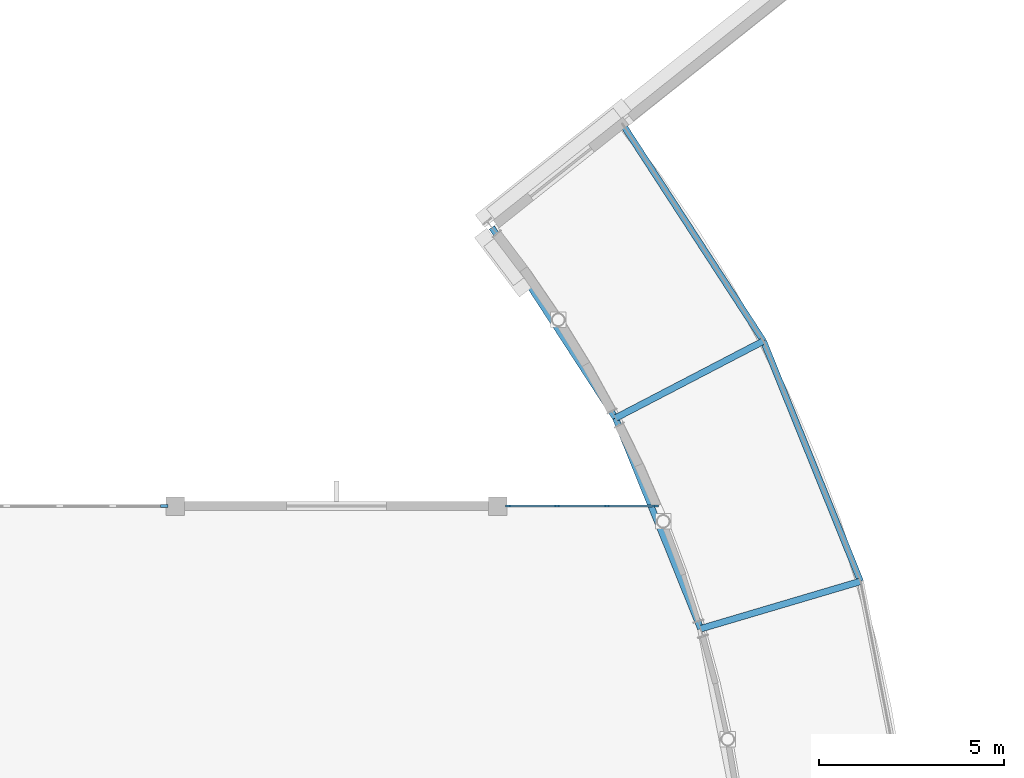
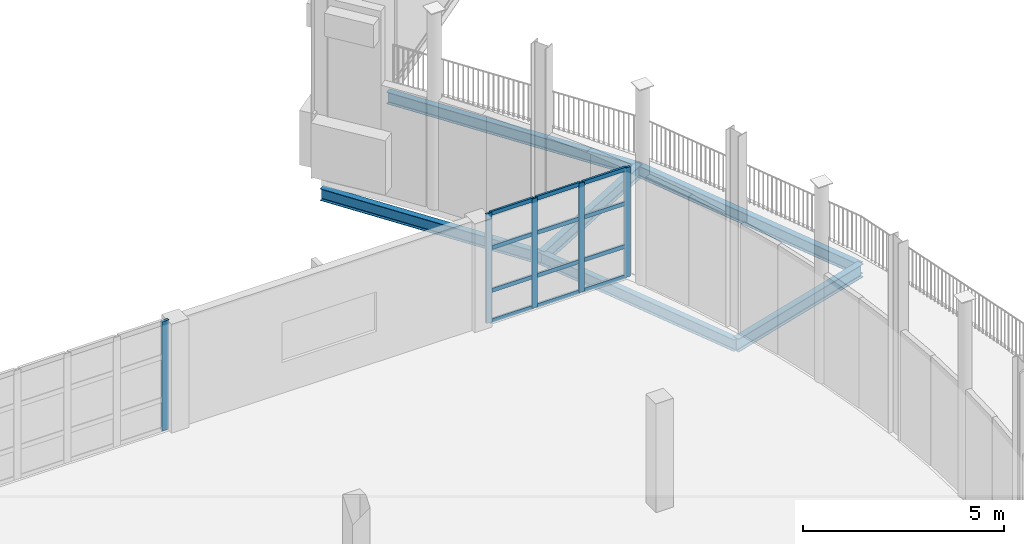
# One storey, part 47 of 104: 17 members, 6 beams, 2 elements without a shape of their own.
"""IFC4 building model written with IfcOpenShell, lengths in metres."""

import ifcopenshell
import ifcopenshell.guid

model = None  # the IFC model being written
_history = None  # IfcOwnerHistory: only IFC2X3 demands one
_inside = {}  # id of a spatial element -> (the spatial element, [elements in it])
_under = {}  # id of a project, library or spatial element -> (it, [spatial elements below it])
_declared = {}  # id of a project -> (the project, [libraries it declares])
_typed = {}  # id of a type object -> (the type object, [elements of that type])
_made_of = {}  # id of a material, layer set ... -> (it, [elements and type objects made of it])


def new_model(schema):
    """Start an empty IFC model of exactly this schema.

    Asked for "IFC4X3", IfcOpenShell would pick the latest addendum, in which some entities
    have other attributes; the version numbers below select the first issue.
    IFC2X3 requires an IfcOwnerHistory on every rooted entity: one is made here for all.
    """
    global model, _history
    if schema == "IFC4X3":
        model = ifcopenshell.file(schema_version=(4, 3, 0, 0))
    else:
        model = ifcopenshell.file(schema=schema)
    _inside.clear()
    _under.clear()
    _declared.clear()
    _typed.clear()
    _made_of.clear()
    _history = None
    if model.schema == "IFC2X3":
        org = make("IfcOrganization", Name="unknown")
        user = make(
            "IfcPersonAndOrganization",
            ThePerson=make("IfcPerson", FamilyName="unknown"),
            TheOrganization=org,
        )
        app = make(
            "IfcApplication",
            ApplicationDeveloper=org,
            Version="unknown",
            ApplicationFullName="unknown",
            ApplicationIdentifier="unknown",
        )
        _history = make(
            "IfcOwnerHistory",
            OwningUser=user,
            OwningApplication=app,
            ChangeAction="ADDED",
            CreationDate=0,
        )
    return model


def make(cls, **values):
    """One entity of the class cls with the attributes given. An attribute that is None is left unset."""
    return model.create_entity(
        cls, **{name: value for name, value in values.items() if value is not None}
    )


def rooted(cls, **values):
    """An entity with a GlobalId (a new one), such as an element, a storey or a relation."""
    return make(cls, GlobalId=ifcopenshell.guid.new(), OwnerHistory=_history, **values)


def si_unit(unit_type, name, prefix=None):
    """IfcSIUnit, for example si_unit("LENGTHUNIT", "METRE", prefix="MILLI")."""
    return make("IfcSIUnit", UnitType=unit_type, Prefix=prefix, Name=name)


def assignment(units):
    """IfcUnitAssignment: the units of a project."""
    return None if units is None else make("IfcUnitAssignment", Units=units)


def point(xyz):
    """IfcCartesianPoint."""
    return None if xyz is None else make("IfcCartesianPoint", Coordinates=xyz)


def direction(xyz):
    """IfcDirection."""
    return None if xyz is None else make("IfcDirection", DirectionRatios=xyz)


def frame(location, z_axis=None, x_axis=None):
    """IfcAxis2Placement3D, a coordinate frame: its origin and axes. An axis left out is left unset."""
    return make(
        "IfcAxis2Placement3D",
        Location=point(location),
        Axis=direction(z_axis),
        RefDirection=direction(x_axis),
    )


def frame_2d(location, x_axis=None):
    """IfcAxis2Placement2D, a coordinate frame in the plane: its origin and x axis."""
    return make(
        "IfcAxis2Placement2D", Location=point(location), RefDirection=direction(x_axis)
    )


def origin():
    """The frame at (0, 0, 0) with its axes left unset."""
    return frame((0.0, 0.0, 0.0))


def origin_2d():
    """The frame at (0, 0) in the plane with its x axis left unset."""
    return frame_2d((0.0, 0.0))


def place(relative_to, where):
    """IfcLocalPlacement: puts the frame where relative to a parent placement (None: the world)."""
    return make(
        "IfcLocalPlacement", PlacementRelTo=relative_to, RelativePlacement=where
    )


def context(
    kind, dimensions, precision=None, world=None, true_north=None, identifier=None
):
    """IfcGeometricRepresentationContext, for example the 3D "Model" context."""
    return make(
        "IfcGeometricRepresentationContext",
        ContextIdentifier=identifier,
        ContextType=kind,
        CoordinateSpaceDimension=dimensions,
        Precision=precision,
        WorldCoordinateSystem=world,
        TrueNorth=true_north,
    )


def subcontext(parent, identifier, kind, view, scale=None):
    """IfcGeometricRepresentationSubContext, for example "Body" below "Model"."""
    return make(
        "IfcGeometricRepresentationSubContext",
        ContextIdentifier=identifier,
        ContextType=kind,
        ParentContext=parent,
        TargetScale=scale,
        TargetView=view,
    )


def project(units=None, contexts=None):
    """IfcProject with its units and contexts."""
    return rooted(
        "IfcProject",
        Name="project",
        RepresentationContexts=contexts,
        UnitsInContext=assignment(units),
    )


def spatial(cls, under=None, at=None, **own):
    """A site, building, storey or space (cls), placed at a placement, below another one or the project."""
    s = rooted(cls, ObjectPlacement=at, **own)
    if under is not None:
        _under.setdefault(under.id(), (under, []))[1].append(s)
    return s


def profile(cls, at=None, kind="AREA", **sizes):
    """A parametric profile (cls). Its sizes go by their IFC names, for example OverallWidth=200.0."""
    return make(cls, ProfileType=kind, Position=at, **sizes)


def rectangle(**sizes):
    """IfcRectangleProfileDef."""
    return profile("IfcRectangleProfileDef", **sizes)


def i_section(**sizes):
    """IfcIShapeProfileDef."""
    return profile("IfcIShapeProfileDef", **sizes)


def extrude(swept, where, along, depth):
    """IfcExtrudedAreaSolid: the profile swept, set in the frame where, extruded along a direction by depth."""
    return make(
        "IfcExtrudedAreaSolid",
        SweptArea=swept,
        Position=where,
        ExtrudedDirection=direction(along),
        Depth=depth,
    )


def shape(context_of_items, identifier, shape_type, items):
    """IfcShapeRepresentation: the items that make up one representation, for example the "Body"."""
    return make(
        "IfcShapeRepresentation",
        ContextOfItems=context_of_items,
        RepresentationIdentifier=identifier,
        RepresentationType=shape_type,
        Items=items,
    )


def material(Name=None, Category=None):
    """IfcMaterial."""
    return make("IfcMaterial", Name=Name, Category=Category)


def material_profile(
    of_material, cross_section, Name=None, Category=None, Priority=None
):
    """IfcMaterialProfile: a cross section and its material."""
    return make(
        "IfcMaterialProfile",
        Name=Name,
        Material=of_material,
        Profile=cross_section,
        Priority=Priority,
        Category=Category,
    )


def profile_set(profiles, Name=None, composite=None):
    """IfcMaterialProfileSet."""
    return make(
        "IfcMaterialProfileSet",
        Name=Name,
        MaterialProfiles=profiles,
        CompositeProfile=composite,
    )


def made_of(thing, what):
    """Note that an element or type object is made of a material, layer set ...; save() writes the relation."""
    if what is not None:
        _made_of.setdefault(what.id(), (what, []))[1].append(thing)
    return thing


def type_object(cls, material=None, **own):
    """A type object (cls), such as IfcWallType, which elements share."""
    return made_of(rooted(cls, **own), material)


def element(
    cls,
    number,
    at=None,
    inside=None,
    cuts=None,
    type_object=None,
    material=None,
    context=None,
    identifier="Body",
    shape_type=None,
    held_by="IfcProductDefinitionShape",
    body=None,
    shapes=None,
    **own,
):
    """One element of the class cls, such as IfcWall. Its Tag is "e" and its number.

    at: its placement. inside: the storey or other place that contains it. cuts: it is an
    opening in that element (IfcRelVoidsElement). A single representation is given by context,
    identifier, shape_type and body (its items); several are given by shapes. held_by: the class
    of the entity that holds the representations. save() writes the other relations.
    """
    e = rooted(cls, Tag="e%d" % number, ObjectPlacement=at, **own)
    if body is not None:
        shapes = [shape(context, identifier, shape_type, body)]
    if shapes is not None:
        e.Representation = make(held_by, Representations=shapes)
    if inside is not None:
        _inside.setdefault(inside.id(), (inside, []))[1].append(e)
    if cuts is not None:
        rooted(
            "IfcRelVoidsElement", RelatingBuildingElement=cuts, RelatedOpeningElement=e
        )
    if type_object is not None:
        _typed.setdefault(type_object.id(), (type_object, []))[1].append(e)
    return made_of(e, material)


def aggregate(whole, parts):
    """IfcRelAggregates: a whole, such as a stair, and the parts it consists of."""
    return rooted("IfcRelAggregates", RelatingObject=whole, RelatedObjects=parts)


def save(model, path):
    """Write the relations noted so far, then the file.

    IfcRelAggregates (storeys below a building ...), IfcRelContainedInSpatialStructure (elements
    in a storey), IfcRelDefinesByType, IfcRelAssociatesMaterial and IfcRelDeclares: one each for
    every whole, place, type object, material and project.
    """
    for whole, parts in _under.values():
        aggregate(whole, parts)
    for where, things in _inside.values():
        rooted(
            "IfcRelContainedInSpatialStructure",
            RelatedElements=things,
            RelatingStructure=where,
        )
    for kind, things in _typed.values():
        rooted("IfcRelDefinesByType", RelatedObjects=things, RelatingType=kind)
    for what, things in _made_of.values():
        rooted("IfcRelAssociatesMaterial", RelatedObjects=things, RelatingMaterial=what)
    for by, libraries in _declared.values():
        rooted("IfcRelDeclares", RelatingContext=by, RelatedDefinitions=libraries)
    model.write(path)


model = new_model("IFC4")

# Units and contexts
model_context = context("Model", 3, precision=1e-05, world=origin(), true_north=direction((0.0, 1.0)))
body_context = subcontext(model_context, "Body", "Model", "MODEL_VIEW")
ifc_project = project(units=[si_unit("LENGTHUNIT", "METRE"), si_unit("AREAUNIT", "SQUARE_METRE"), si_unit("VOLUMEUNIT", "CUBIC_METRE"), si_unit("PLANEANGLEUNIT", "RADIAN"), si_unit("MASSUNIT", "GRAM", prefix="KILO")], contexts=[model_context])

# Site, building, storey
site_placement = place(None, origin())
site = spatial("IfcSite", under=ifc_project, at=site_placement, CompositionType="ELEMENT")
building_placement = place(site_placement, origin())
building = spatial("IfcBuilding", under=site, at=building_placement, Name="Vanh Quang Courtyard School", CompositionType="ELEMENT")
storey_placement = place(building_placement, frame((0.0, 0.0, 4.199951171875)))
storey = spatial("IfcBuildingStorey", under=building, at=storey_placement, Name="L01", CompositionType="ELEMENT", Elevation=4.199951171875)

# Beams
ifc_material_1 = material(Name="Structural steel EN 10025-2 S355J2", Category="steel")
ifc_material_profile_1 = material_profile(ifc_material_1, i_section(OverallWidth=0.169921875, OverallDepth=0.360107421875, WebThickness=0.008056640625, FlangeThickness=0.0126953125, FilletRadius=0.01806640625, at=origin_2d()), Name="IPE 360")
ifc_profile_set_1 = profile_set([ifc_material_profile_1], Name="Structural steel EN 10025-2 S355J2")
beam_type_1 = type_object("IfcBeamType", Name="BM-STL-IPE360", PredefinedType="BEAM", material=ifc_profile_set_1)
beam_1_placement = place(storey_placement, frame((142.68212890625, 65.08837890625, -0.47998046875), z_axis=(-0.374599922936, 0.927186549588, 0.0), x_axis=(-0.927186549588, -0.374599922936, 0.0)))
element("IfcBeam", 1, at=beam_1_placement, inside=storey, type_object=beam_type_1, Name="Beam SB-06 (L01)", PredefinedType="BEAM", context=body_context, shape_type="SweptSolid", body=[
    extrude(i_section(OverallWidth=0.169921875, OverallDepth=0.360107421875, WebThickness=0.008056640625, FlangeThickness=0.0126953125, FilletRadius=0.01806640625, at=origin_2d()), origin(), (0.0, 0.0, 1.0), 6.134033203125),
])
beam_2_placement = place(storey_placement, frame((146.996826171875, 66.36669921875, -0.47998046875), z_axis=(-0.374595168761, 0.927188470345, 0.0), x_axis=(-0.927188470345, -0.374595168761, 0.0)))
element("IfcBeam", 2, at=beam_2_placement, inside=storey, type_object=beam_type_1, Name="Beam SB-06 (L01)", PredefinedType="BEAM", context=body_context, shape_type="SweptSolid", body=[
    extrude(i_section(OverallWidth=0.169921875, OverallDepth=0.360107421875, WebThickness=0.008056640625, FlangeThickness=0.0126953125, FilletRadius=0.01806640625, at=origin_2d()), origin(), (0.0, 0.0, 1.0), 6.99658203125),
])
beam_3_placement = place(storey_placement, frame((140.38427734375, 70.77587890625, -0.47998046875), z_axis=(-0.544630166245, 0.838676327325, 0.0), x_axis=(-0.838676327325, -0.544630166245, 0.0)))
element("IfcBeam", 3, at=beam_3_placement, inside=storey, type_object=beam_type_1, Name="Beam SB-06 (L01)", PredefinedType="BEAM", context=body_context, shape_type="SweptSolid", body=[
    extrude(i_section(OverallWidth=0.169921875, OverallDepth=0.360107421875, WebThickness=0.008056640625, FlangeThickness=0.0126953125, FilletRadius=0.01806640625, at=origin_2d()), origin(), (0.0, 0.0, 1.0), 6.134033203125),
])
beam_4_placement = place(storey_placement, frame((144.3759765625, 72.853759765625, -0.47998046875), z_axis=(-0.544651024109, 0.838662782015, 0.0), x_axis=(-0.838662782015, -0.544651024109, 0.0)))
element("IfcBeam", 4, at=beam_4_placement, inside=storey, type_object=beam_type_1, Name="Beam SB-06 (L01)", PredefinedType="BEAM", context=body_context, shape_type="SweptSolid", body=[
    extrude(i_section(OverallWidth=0.169921875, OverallDepth=0.360107421875, WebThickness=0.008056640625, FlangeThickness=0.0126953125, FilletRadius=0.01806640625, at=origin_2d()), origin(), (0.0, 0.0, 1.0), 6.996826171875),
])
ifc_material_profile_2 = material_profile(ifc_material_1, i_section(OverallWidth=0.179931640625, OverallDepth=0.39990234375, WebThickness=0.008544921875, FlangeThickness=0.013427734375, FilletRadius=0.02099609375, at=origin_2d()), Name="IPE 400")
ifc_profile_set_2 = profile_set([ifc_material_profile_2], Name="Structural steel EN 10025-2 S355J2")
beam_type_2 = type_object("IfcBeamType", Name="BM-STL-IPE400", PredefinedType="BEAM", material=ifc_profile_set_2)
beam_5_placement = place(storey_placement, frame((142.68212890625, 65.08837890625, -0.47998046875), z_axis=(0.958804680222, 0.284066163393, 0.0), x_axis=(-0.284066163393, 0.958804680222, 0.0)))
element("IfcBeam", 5, at=beam_5_placement, inside=storey, type_object=beam_type_2, Name="Beam SB-05 (L01)", PredefinedType="BEAM", context=body_context, shape_type="SweptSolid", body=[
    extrude(i_section(OverallWidth=0.179931640625, OverallDepth=0.39990234375, WebThickness=0.008544921875, FlangeThickness=0.013427734375, FilletRadius=0.02099609375, at=origin_2d()), origin(), (0.0, 0.0, 1.0), 4.5),
])
beam_6_placement = place(storey_placement, frame((140.38427734375, 70.77587890625, -0.47998046875), z_axis=(0.887016860931, 0.461737033846, 0.0), x_axis=(-0.461737033846, 0.887016860931, 0.0)))
element("IfcBeam", 6, at=beam_6_placement, inside=storey, type_object=beam_type_2, Name="Beam SB-05 (L01)", PredefinedType="BEAM", context=body_context, shape_type="SweptSolid", body=[
    extrude(i_section(OverallWidth=0.179931640625, OverallDepth=0.39990234375, WebThickness=0.008544921875, FlangeThickness=0.013427734375, FilletRadius=0.02099609375, at=origin_2d()), origin(), (0.0, 0.0, 1.0), 4.500244140625),
])

# Curtain wall, members
ifc_material_2 = material(Name="Thermally broken aluminium unitised curtain wall", Category="aluminium")
curtain_wall_type_1 = type_object("IfcCurtainWallType", Name="CW-SYS-26", PredefinedType="NOTDEFINED", material=ifc_material_2)
curtain_wall_1_placement = place(storey_placement, origin())
curtain_wall_1 = element("IfcCurtainWall", 7, at=curtain_wall_1_placement, inside=storey, type_object=curtain_wall_type_1, Name="Curtain Wall CW-26 (L01)", PredefinedType="NOTDEFINED")
ifc_material_3 = material(Name="Anodised aluminium 6063-T6", Category="aluminium")
ifc_material_profile_3 = material_profile(ifc_material_3, rectangle(XDim=0.06005859375, YDim=0.159912109375, at=origin_2d()), Name="ALU-MUL 60x160")
ifc_profile_set_3 = profile_set([ifc_material_profile_3], Name="Anodised aluminium 6063-T6")
member_type_1 = type_object("IfcMemberType", Name="CW-MUL-60x160", PredefinedType="MULLION", material=ifc_profile_set_3)
member_1_placement = place(storey_placement, frame((137.488037109375, 68.39990234375, 0.0), z_axis=(0.0, 0.0, 1.0), x_axis=(0.0, 1.0, 0.0)))
member_1 = element("IfcMember", 8, at=member_1_placement, type_object=member_type_1, Name="CW-26 mullion 1", PredefinedType="MULLION", context=body_context, shape_type="SweptSolid", body=[
    extrude(rectangle(XDim=0.06005859375, YDim=0.159912109375, at=origin_2d()), origin(), (0.0, 0.0, 1.0), 3.320068359375),
])
member_2_placement = place(storey_placement, frame((138.802490234375, 68.39990234375, 0.0), z_axis=(0.0, 0.0, 1.0), x_axis=(0.0, 1.0, 0.0)))
member_2 = element("IfcMember", 9, at=member_2_placement, type_object=member_type_1, Name="CW-26 mullion 2", PredefinedType="MULLION", context=body_context, shape_type="SweptSolid", body=[
    extrude(rectangle(XDim=0.06005859375, YDim=0.159912109375, at=origin_2d()), origin(), (0.0, 0.0, 1.0), 3.320068359375),
])
member_3_placement = place(storey_placement, frame((140.14697265625, 68.39990234375, 0.0), z_axis=(0.0, 0.0, 1.0), x_axis=(0.0, 1.0, 0.0)))
member_3 = element("IfcMember", 10, at=member_3_placement, type_object=member_type_1, Name="CW-26 mullion 3", PredefinedType="MULLION", context=body_context, shape_type="SweptSolid", body=[
    extrude(rectangle(XDim=0.06005859375, YDim=0.159912109375, at=origin_2d()), origin(), (0.0, 0.0, 1.0), 3.320068359375),
])
member_4_placement = place(storey_placement, frame((141.461669921875, 68.39990234375, 0.0), z_axis=(0.0, 0.0, 1.0), x_axis=(0.0, 1.0, 0.0)))
member_4 = element("IfcMember", 11, at=member_4_placement, type_object=member_type_1, Name="CW-26 mullion 4", PredefinedType="MULLION", context=body_context, shape_type="SweptSolid", body=[
    extrude(rectangle(XDim=0.06005859375, YDim=0.159912109375, at=origin_2d()), origin(), (0.0, 0.0, 1.0), 3.320068359375),
])

# Curtain wall, member
curtain_wall_type_2 = type_object("IfcCurtainWallType", Name="CW-SYS-25", PredefinedType="NOTDEFINED", material=ifc_material_2)
curtain_wall_2_placement = place(storey_placement, origin())
curtain_wall_2 = element("IfcCurtainWall", 12, at=curtain_wall_2_placement, inside=storey, type_object=curtain_wall_type_2, Name="Curtain Wall CW-25 (L01)", PredefinedType="NOTDEFINED")
ifc_material_profile_4 = material_profile(ifc_material_3, rectangle(XDim=0.080078125, YDim=0.199951171875, at=origin_2d()), Name="ALU-MUL 80x200")
ifc_profile_set_4 = profile_set([ifc_material_profile_4], Name="Anodised aluminium 6063-T6")
member_type_2 = type_object("IfcMemberType", Name="CW-MUL-80x200", PredefinedType="MULLION", material=ifc_profile_set_4)
member_5_placement = place(storey_placement, frame((128.201904296875, 68.39990234375, 0.0), z_axis=(0.0, 0.0, 1.0), x_axis=(0.0, 1.0, 0.0)))
member_5 = element("IfcMember", 13, at=member_5_placement, type_object=member_type_2, Name="CW-25 mullion 7", PredefinedType="MULLION", context=body_context, shape_type="SweptSolid", body=[
    extrude(rectangle(XDim=0.080078125, YDim=0.199951171875, at=origin_2d()), origin(), (0.0, 0.0, 1.0), 3.320068359375),
])
aggregate(curtain_wall_2, [member_5])

# Member
ifc_material_profile_5 = material_profile(ifc_material_3, rectangle(XDim=0.06005859375, YDim=0.1201171875, at=origin_2d()), Name="ALU-TRN 60x120")
ifc_profile_set_5 = profile_set([ifc_material_profile_5], Name="Anodised aluminium 6063-T6")
member_type_3 = type_object("IfcMemberType", Name="CW-TRN-60x120", PredefinedType="USERDEFINED", material=ifc_profile_set_5)
member_6_placement = place(storey_placement, frame((137.51806640625, 68.39990234375, 0.030029296875), z_axis=(1.0, 0.0, 0.0), x_axis=(0.0, 1.0, 0.0)))
member_6 = element("IfcMember", 14, at=member_6_placement, type_object=member_type_3, Name="CW-26 transom 1.1", ObjectType="TRANSOM", PredefinedType="USERDEFINED", context=body_context, shape_type="SweptSolid", body=[
    extrude(rectangle(XDim=0.06005859375, YDim=0.1201171875, at=origin_2d()), origin(), (0.0, 0.0, 1.0), 1.25439453125),
])

member_7_placement = place(storey_placement, frame((137.51806640625, 68.39990234375, 0.949951171875), z_axis=(1.0, 0.0, 0.0), x_axis=(0.0, 1.0, 0.0)))
member_7 = element("IfcMember", 15, at=member_7_placement, type_object=member_type_3, Name="CW-26 transom 1.2", ObjectType="TRANSOM", PredefinedType="USERDEFINED", context=body_context, shape_type="SweptSolid", body=[
    extrude(rectangle(XDim=0.06005859375, YDim=0.1201171875, at=origin_2d()), origin(), (0.0, 0.0, 1.0), 1.25439453125),
])

member_8_placement = place(storey_placement, frame((137.51806640625, 68.39990234375, 2.25), z_axis=(1.0, 0.0, 0.0), x_axis=(0.0, 1.0, 0.0)))
member_8 = element("IfcMember", 16, at=member_8_placement, type_object=member_type_3, Name="CW-26 transom 1.3", ObjectType="TRANSOM", PredefinedType="USERDEFINED", context=body_context, shape_type="SweptSolid", body=[
    extrude(rectangle(XDim=0.06005859375, YDim=0.1201171875, at=origin_2d()), origin(), (0.0, 0.0, 1.0), 1.25439453125),
])

member_9_placement = place(storey_placement, frame((137.51806640625, 68.39990234375, 3.2900390625), z_axis=(1.0, 0.0, 0.0), x_axis=(0.0, 1.0, 0.0)))
member_9 = element("IfcMember", 17, at=member_9_placement, type_object=member_type_3, Name="CW-26 transom 1.4", ObjectType="TRANSOM", PredefinedType="USERDEFINED", context=body_context, shape_type="SweptSolid", body=[
    extrude(rectangle(XDim=0.06005859375, YDim=0.1201171875, at=origin_2d()), origin(), (0.0, 0.0, 1.0), 1.25439453125),
])

member_10_placement = place(storey_placement, frame((138.83251953125, 68.39990234375, 0.030029296875), z_axis=(1.0, 0.0, 0.0), x_axis=(0.0, 1.0, 0.0)))
member_10 = element("IfcMember", 18, at=member_10_placement, type_object=member_type_3, Name="CW-26 transom 2.1", ObjectType="TRANSOM", PredefinedType="USERDEFINED", context=body_context, shape_type="SweptSolid", body=[
    extrude(rectangle(XDim=0.06005859375, YDim=0.1201171875, at=origin_2d()), origin(), (0.0, 0.0, 1.0), 1.28466796875),
])

member_11_placement = place(storey_placement, frame((138.83251953125, 68.39990234375, 0.949951171875), z_axis=(1.0, 0.0, 0.0), x_axis=(0.0, 1.0, 0.0)))
member_11 = element("IfcMember", 19, at=member_11_placement, type_object=member_type_3, Name="CW-26 transom 2.2", ObjectType="TRANSOM", PredefinedType="USERDEFINED", context=body_context, shape_type="SweptSolid", body=[
    extrude(rectangle(XDim=0.06005859375, YDim=0.1201171875, at=origin_2d()), origin(), (0.0, 0.0, 1.0), 1.28466796875),
])

member_12_placement = place(storey_placement, frame((138.83251953125, 68.39990234375, 2.25), z_axis=(1.0, 0.0, 0.0), x_axis=(0.0, 1.0, 0.0)))
member_12 = element("IfcMember", 20, at=member_12_placement, type_object=member_type_3, Name="CW-26 transom 2.3", ObjectType="TRANSOM", PredefinedType="USERDEFINED", context=body_context, shape_type="SweptSolid", body=[
    extrude(rectangle(XDim=0.06005859375, YDim=0.1201171875, at=origin_2d()), origin(), (0.0, 0.0, 1.0), 1.28466796875),
])

member_13_placement = place(storey_placement, frame((138.83251953125, 68.39990234375, 3.2900390625), z_axis=(1.0, 0.0, 0.0), x_axis=(0.0, 1.0, 0.0)))
member_13 = element("IfcMember", 21, at=member_13_placement, type_object=member_type_3, Name="CW-26 transom 2.4", ObjectType="TRANSOM", PredefinedType="USERDEFINED", context=body_context, shape_type="SweptSolid", body=[
    extrude(rectangle(XDim=0.06005859375, YDim=0.1201171875, at=origin_2d()), origin(), (0.0, 0.0, 1.0), 1.28466796875),
])

member_14_placement = place(storey_placement, frame((140.177001953125, 68.39990234375, 0.030029296875), z_axis=(1.0, 0.0, 0.0), x_axis=(0.0, 1.0, 0.0)))
member_14 = element("IfcMember", 22, at=member_14_placement, type_object=member_type_3, Name="CW-26 transom 3.1", ObjectType="TRANSOM", PredefinedType="USERDEFINED", context=body_context, shape_type="SweptSolid", body=[
    extrude(rectangle(XDim=0.06005859375, YDim=0.1201171875, at=origin_2d()), origin(), (0.0, 0.0, 1.0), 1.254638671875),
])

member_15_placement = place(storey_placement, frame((140.177001953125, 68.39990234375, 0.949951171875), z_axis=(1.0, 0.0, 0.0), x_axis=(0.0, 1.0, 0.0)))
member_15 = element("IfcMember", 23, at=member_15_placement, type_object=member_type_3, Name="CW-26 transom 3.2", ObjectType="TRANSOM", PredefinedType="USERDEFINED", context=body_context, shape_type="SweptSolid", body=[
    extrude(rectangle(XDim=0.06005859375, YDim=0.1201171875, at=origin_2d()), origin(), (0.0, 0.0, 1.0), 1.254638671875),
])

member_16_placement = place(storey_placement, frame((140.177001953125, 68.39990234375, 2.25), z_axis=(1.0, 0.0, 0.0), x_axis=(0.0, 1.0, 0.0)))
member_16 = element("IfcMember", 24, at=member_16_placement, type_object=member_type_3, Name="CW-26 transom 3.3", ObjectType="TRANSOM", PredefinedType="USERDEFINED", context=body_context, shape_type="SweptSolid", body=[
    extrude(rectangle(XDim=0.06005859375, YDim=0.1201171875, at=origin_2d()), origin(), (0.0, 0.0, 1.0), 1.254638671875),
])

member_17_placement = place(storey_placement, frame((140.177001953125, 68.39990234375, 3.2900390625), z_axis=(1.0, 0.0, 0.0), x_axis=(0.0, 1.0, 0.0)))
member_17 = element("IfcMember", 25, at=member_17_placement, type_object=member_type_3, Name="CW-26 transom 3.4", ObjectType="TRANSOM", PredefinedType="USERDEFINED", context=body_context, shape_type="SweptSolid", body=[
    extrude(rectangle(XDim=0.06005859375, YDim=0.1201171875, at=origin_2d()), origin(), (0.0, 0.0, 1.0), 1.254638671875),
])

aggregate(curtain_wall_1, [member_1, member_2, member_3, member_4, member_6, member_7, member_8, member_9, member_10, member_11, member_12, member_13, member_14, member_15, member_16, member_17])

save(model, "model.ifc")
